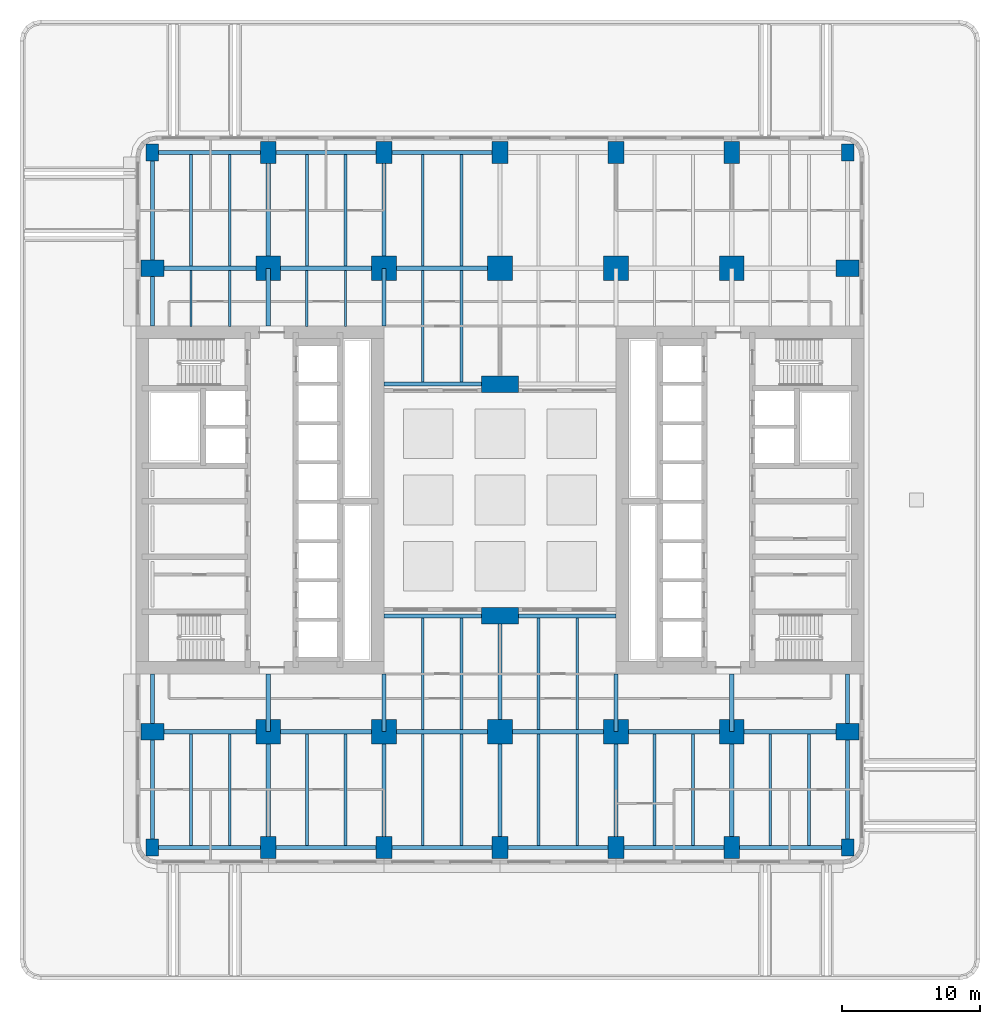
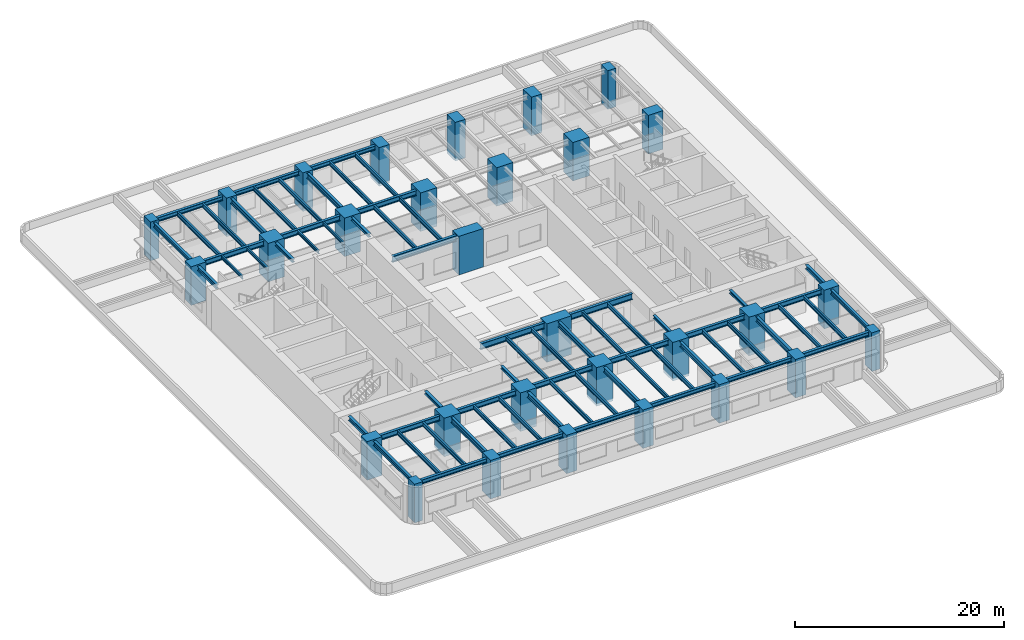
# One storey, part 1 of 17: 69 beams, 30 columns.
"""IFC4 building model written with IfcOpenShell, lengths in metres."""

from ifc_helpers import new_model, si_unit, direction, frame, origin, origin_2d, place, context, subcontext, project, spatial, rectangle, i_section, extrude, material, material_profile, profile_set, type_object, element, save


model = new_model("IFC4")

# Units and contexts
model_context = context("Model", 3, precision=1e-05, world=origin(), true_north=direction((0.0, 1.0)))
body_context = subcontext(model_context, "Body", "Model", "MODEL_VIEW")
ifc_project = project(units=[si_unit("LENGTHUNIT", "METRE"), si_unit("AREAUNIT", "SQUARE_METRE"), si_unit("VOLUMEUNIT", "CUBIC_METRE"), si_unit("PLANEANGLEUNIT", "RADIAN"), si_unit("MASSUNIT", "GRAM", prefix="KILO")], contexts=[model_context])

# Site, building, storey
site_placement = place(None, origin())
site = spatial("IfcSite", under=ifc_project, at=site_placement, CompositionType="ELEMENT")
building_placement = place(site_placement, origin())
building = spatial("IfcBuilding", under=site, at=building_placement, Name="Claustro Exchange Tower", CompositionType="ELEMENT")
storey_placement = place(building_placement, frame((0.0, 0.0, 18.89990234375)))
storey = spatial("IfcBuildingStorey", under=building, at=storey_placement, Name="L04", CompositionType="ELEMENT", Elevation=18.89990234375)

# Columns
ifc_material_1 = material(Name="Concrete HA-70 (C70/85)", Category="concrete")
ifc_material_profile_1 = material_profile(ifc_material_1, rectangle(XDim=1.800048828125, YDim=1.800048828125, at=origin_2d()), Name="RC 1800x1800")
ifc_profile_set_1 = profile_set([ifc_material_profile_1], Name="Concrete HA-70 (C70/85)")
column_type_1 = type_object("IfcColumnType", Name="C14 RC 1800x1800 HA-70 column", PredefinedType="COLUMN", material=ifc_profile_set_1)
for number, where, z_axis, x_axis, name in (
    (1, (8.39990234375, 8.39990234375, 0.0), (0.0, 0.0, 1.0), (1.0, 0.0, 0.0), "Column C14 2/B L04"),
    (2, (8.39990234375, 42.0, 0.0), (0.0, 0.0, 1.0), (1.0, 0.0, 0.0), "Column C14 2/F L04"),
    (3, (16.800048828125, 8.39990234375, 0.0), (0.0, 0.0, 1.0), (1.0, 0.0, 0.0), "Column C14 3/B L04"),
    (4, (16.800048828125, 42.0, 0.0), (0.0, 0.0, 1.0), (1.0, 0.0, 0.0), "Column C14 3/F L04"),
    (5, (25.199951171875, 8.39990234375, 0.0), (0.0, 0.0, 1.0), (1.0, 0.0, 0.0), "Column C14 4/B L04"),
    (6, (25.199951171875, 42.0, 0.0), (0.0, 0.0, 1.0), (1.0, 0.0, 0.0), "Column C14 4/F L04"),
    (7, (33.60009765625, 8.39990234375, 0.0), (0.0, 0.0, 1.0), (1.0, 0.0, 0.0), "Column C14 5/B L04"),
    (8, (33.60009765625, 42.0, 0.0), (0.0, 0.0, 1.0), (1.0, 0.0, 0.0), "Column C14 5/F L04"),
    (9, (42.0, 8.39990234375, 0.0), (0.0, 0.0, 1.0), (1.0, 0.0, 0.0), "Column C14 6/B L04"),
    (10, (42.0, 42.0, 0.0), (0.0, 0.0, 1.0), (1.0, 0.0, 0.0), "Column C14 6/F L04"),
):
    element("IfcColumn", number, at=place(storey_placement, frame(where, z_axis=z_axis, x_axis=x_axis)), inside=storey, type_object=column_type_1, Name=name, PredefinedType="COLUMN", context=body_context, shape_type="SweptSolid", body=[
        extrude(rectangle(XDim=1.800048828125, YDim=1.800048828125, at=origin_2d()), origin(), (0.0, 0.0, 1.0), 4.5),
    ])
ifc_material_2 = material(Name="Concrete HA-70 (C70/85)", Category="concrete")
ifc_material_profile_2 = material_profile(ifc_material_2, rectangle(XDim=1.199951171875, YDim=1.64990234375, at=origin_2d()), Name="RC 1200x1650")
ifc_profile_set_2 = profile_set([ifc_material_profile_2], Name="Concrete HA-70 (C70/85)")
column_type_2 = type_object("IfcColumnType", Name="C19 RC 1200x1650 HA-70 perimeter column", PredefinedType="COLUMN", material=ifc_profile_set_2)
for number, where, z_axis, x_axis, name in (
    (11, (0.0, 8.39990234375, 0.0), (0.0, 0.0, 1.0), (0.0, 1.0, 0.0), "Column C19 1/B L04"),
    (12, (0.0, 42.0, 0.0), (0.0, 0.0, 1.0), (0.0, 1.0, 0.0), "Column C19 1/F L04"),
    (13, (50.39990234375, 8.39990234375, 0.0), (0.0, 0.0, 1.0), (0.0, 1.0, 0.0), "Column C19 7/B L04"),
    (14, (50.39990234375, 42.0, 0.0), (0.0, 0.0, 1.0), (0.0, 1.0, 0.0), "Column C19 7/F L04"),
):
    element("IfcColumn", number, at=place(storey_placement, frame(where, z_axis=z_axis, x_axis=x_axis)), inside=storey, type_object=column_type_2, Name=name, PredefinedType="COLUMN", context=body_context, shape_type="SweptSolid", body=[
        extrude(rectangle(XDim=1.199951171875, YDim=1.64990234375, at=origin_2d()), origin(), (0.0, 0.0, 1.0), 4.5),
    ])
ifc_material_3 = material(Name="Concrete HA-70 (C70/85)", Category="concrete")
ifc_material_profile_3 = material_profile(ifc_material_3, rectangle(XDim=1.14990234375, YDim=1.60009765625, at=origin_2d()), Name="RC 1150x1600")
ifc_profile_set_3 = profile_set([ifc_material_profile_3], Name="Concrete HA-70 (C70/85)")
column_type_3 = type_object("IfcColumnType", Name="C20 RC 1150x1600 HA-70 perimeter column", PredefinedType="COLUMN", material=ifc_profile_set_3)
for number, where, z_axis, x_axis, name in (
    (15, (8.39990234375, 0.0, 0.0), (0.0, 0.0, 1.0), (1.0, 0.0, 0.0), "Column C20 2/A L04"),
    (16, (8.39990234375, 50.39990234375, 0.0), (0.0, 0.0, 1.0), (1.0, 0.0, 0.0), "Column C20 2/G L04"),
    (17, (16.800048828125, 0.0, 0.0), (0.0, 0.0, 1.0), (1.0, 0.0, 0.0), "Column C20 3/A L04"),
    (18, (16.800048828125, 50.39990234375, 0.0), (0.0, 0.0, 1.0), (1.0, 0.0, 0.0), "Column C20 3/G L04"),
    (19, (25.199951171875, 0.0, 0.0), (0.0, 0.0, 1.0), (1.0, 0.0, 0.0), "Column C20 4/A L04"),
    (20, (25.199951171875, 50.39990234375, 0.0), (0.0, 0.0, 1.0), (1.0, 0.0, 0.0), "Column C20 4/G L04"),
    (21, (33.60009765625, 0.0, 0.0), (0.0, 0.0, 1.0), (1.0, 0.0, 0.0), "Column C20 5/A L04"),
    (22, (33.60009765625, 50.39990234375, 0.0), (0.0, 0.0, 1.0), (1.0, 0.0, 0.0), "Column C20 5/G L04"),
    (23, (42.0, 0.0, 0.0), (0.0, 0.0, 1.0), (1.0, 0.0, 0.0), "Column C20 6/A L04"),
    (24, (42.0, 50.39990234375, 0.0), (0.0, 0.0, 1.0), (1.0, 0.0, 0.0), "Column C20 6/G L04"),
):
    element("IfcColumn", number, at=place(storey_placement, frame(where, z_axis=z_axis, x_axis=x_axis)), inside=storey, type_object=column_type_3, Name=name, PredefinedType="COLUMN", context=body_context, shape_type="SweptSolid", body=[
        extrude(rectangle(XDim=1.14990234375, YDim=1.60009765625, at=origin_2d()), origin(), (0.0, 0.0, 1.0), 4.5),
    ])
ifc_material_4 = material(Name="Concrete HA-70 (C70/85)", Category="concrete")
ifc_material_profile_4 = material_profile(ifc_material_4, rectangle(XDim=2.699951171875, YDim=1.199951171875, at=origin_2d()), Name="RC 2700x1200")
ifc_profile_set_4 = profile_set([ifc_material_profile_4], Name="Concrete HA-70 (C70/85)")
column_type_4 = type_object("IfcColumnType", Name="C30 RC 2700x1200 HA-70 light well column", PredefinedType="COLUMN", material=ifc_profile_set_4)
for number, where, z_axis, x_axis, name in (
    (25, (25.199951171875, 16.800048828125, 0.0), (0.0, 0.0, 1.0), (1.0, 0.0, 0.0), "Column C30 4/C L04"),
    (26, (25.199951171875, 33.60009765625, 0.0), (0.0, 0.0, 1.0), (1.0, 0.0, 0.0), "Column C30 4/E L04"),
):
    element("IfcColumn", number, at=place(storey_placement, frame(where, z_axis=z_axis, x_axis=x_axis)), inside=storey, type_object=column_type_4, Name=name, PredefinedType="COLUMN", context=body_context, shape_type="SweptSolid", body=[
        extrude(rectangle(XDim=2.699951171875, YDim=1.199951171875, at=origin_2d()), origin(), (0.0, 0.0, 1.0), 4.5),
    ])
ifc_material_5 = material(Name="Concrete HA-70 (C70/85)", Category="concrete")
ifc_material_profile_5 = material_profile(ifc_material_5, rectangle(XDim=0.89990234375, YDim=1.25, at=origin_2d()), Name="RC 900x1250")
ifc_profile_set_5 = profile_set([ifc_material_profile_5], Name="Concrete HA-70 (C70/85)")
column_type_5 = type_object("IfcColumnType", Name="C35 RC 900x1250 HA-70 corner column", PredefinedType="COLUMN", material=ifc_profile_set_5)
for number, where, z_axis, x_axis, name in (
    (27, (0.0, 0.0, 0.0), (0.0, 0.0, 1.0), (1.0, 0.0, 0.0), "Column C35 1/A L04"),
    (28, (0.0, 50.39990234375, 0.0), (0.0, 0.0, 1.0), (1.0, 0.0, 0.0), "Column C35 1/G L04"),
    (29, (50.39990234375, 0.0, 0.0), (0.0, 0.0, 1.0), (1.0, 0.0, 0.0), "Column C35 7/A L04"),
    (30, (50.39990234375, 50.39990234375, 0.0), (0.0, 0.0, 1.0), (1.0, 0.0, 0.0), "Column C35 7/G L04"),
):
    element("IfcColumn", number, at=place(storey_placement, frame(where, z_axis=z_axis, x_axis=x_axis)), inside=storey, type_object=column_type_5, Name=name, PredefinedType="COLUMN", context=body_context, shape_type="SweptSolid", body=[
        extrude(rectangle(XDim=0.89990234375, YDim=1.25, at=origin_2d()), origin(), (0.0, 0.0, 1.0), 4.5),
    ])

# Beams
ifc_material_6 = material(Name="Steel S355", Category="steel")
ifc_material_profile_6 = material_profile(ifc_material_6, i_section(OverallWidth=0.300048828125, OverallDepth=0.60009765625, WebThickness=0.015380859375, FlangeThickness=0.030029296875, FilletRadius=0.027099609375, at=origin_2d()), Name="HE 600 B")
ifc_profile_set_6 = profile_set([ifc_material_profile_6], Name="Steel S355")
beam_type_1 = type_object("IfcBeamType", Name="B1 HE 600 B floor girder", PredefinedType="BEAM", material=ifc_profile_set_6)
for number, where, z_axis, x_axis, name in (
    (31, (8.39990234375, 0.0, 4.0400390625), (0.0, 1.0, 0.0), (-1.0, 0.0, 0.0), "Beam B1 L05"),
    (32, (8.39990234375, 42.0, 4.0400390625), (0.0, 1.0, 0.0), (-1.0, 0.0, 0.0), "Beam B1 L05"),
    (33, (16.800048828125, 0.0, 4.0400390625), (0.0, 1.0, 0.0), (-1.0, 0.0, 0.0), "Beam B1 L05"),
    (34, (16.800048828125, 42.0, 4.0400390625), (0.0, 1.0, 0.0), (-1.0, 0.0, 0.0), "Beam B1 L05"),
    (35, (25.199951171875, 0.0, 4.0400390625), (0.0, 1.0, 0.0), (-1.0, 0.0, 0.0), "Beam B1 L05"),
):
    element("IfcBeam", number, at=place(storey_placement, frame(where, z_axis=z_axis, x_axis=x_axis)), inside=storey, type_object=beam_type_1, Name=name, PredefinedType="BEAM", context=body_context, shape_type="SweptSolid", body=[
        extrude(i_section(OverallWidth=0.300048828125, OverallDepth=0.60009765625, WebThickness=0.015380859375, FlangeThickness=0.030029296875, FilletRadius=0.027099609375, at=origin_2d()), origin(), (0.0, 0.0, 1.0), 8.39990234375),
    ])
beam_1_placement = place(storey_placement, frame((25.199951171875, 8.39990234375, 4.0400390625), z_axis=(0.0, 1.0, 0.0), x_axis=(-1.0, 0.0, 0.0)))
element("IfcBeam", 36, at=beam_1_placement, inside=storey, type_object=beam_type_1, Name="Beam B1 L05", PredefinedType="BEAM", context=body_context, shape_type="SweptSolid", body=[
    extrude(i_section(OverallWidth=0.300048828125, OverallDepth=0.60009765625, WebThickness=0.015380859375, FlangeThickness=0.030029296875, FilletRadius=0.027099609375, at=origin_2d()), origin(), (0.0, 0.0, 1.0), 8.400146484375),
])
for number, where, z_axis, x_axis, name in (
    (37, (33.60009765625, 0.0, 4.0400390625), (0.0, 1.0, 0.0), (-1.0, 0.0, 0.0), "Beam B1 L05"),
    (38, (42.0, 0.0, 4.0400390625), (0.0, 1.0, 0.0), (-1.0, 0.0, 0.0), "Beam B1 L05"),
    (39, (0.0, 8.39990234375, 4.0400390625), (1.0, 0.0, 0.0), (0.0, 1.0, 0.0), "Beam B1 L05"),
):
    element("IfcBeam", number, at=place(storey_placement, frame(where, z_axis=z_axis, x_axis=x_axis)), inside=storey, type_object=beam_type_1, Name=name, PredefinedType="BEAM", context=body_context, shape_type="SweptSolid", body=[
        extrude(i_section(OverallWidth=0.300048828125, OverallDepth=0.60009765625, WebThickness=0.015380859375, FlangeThickness=0.030029296875, FilletRadius=0.027099609375, at=origin_2d()), origin(), (0.0, 0.0, 1.0), 8.39990234375),
    ])
beam_2_placement = place(storey_placement, frame((8.39990234375, 8.39990234375, 4.0400390625), z_axis=(1.0, 0.0, 0.0), x_axis=(0.0, 1.0, 0.0)))
element("IfcBeam", 40, at=beam_2_placement, inside=storey, type_object=beam_type_1, Name="Beam B1 L05", PredefinedType="BEAM", context=body_context, shape_type="SweptSolid", body=[
    extrude(i_section(OverallWidth=0.300048828125, OverallDepth=0.60009765625, WebThickness=0.015380859375, FlangeThickness=0.030029296875, FilletRadius=0.027099609375, at=origin_2d()), origin(), (0.0, 0.0, 1.0), 8.400146484375),
])
beam_3_placement = place(storey_placement, frame((16.800048828125, 8.39990234375, 4.0400390625), z_axis=(1.0, 0.0, 0.0), x_axis=(0.0, 1.0, 0.0)))
element("IfcBeam", 41, at=beam_3_placement, inside=storey, type_object=beam_type_1, Name="Beam B1 L05", PredefinedType="BEAM", context=body_context, shape_type="SweptSolid", body=[
    extrude(i_section(OverallWidth=0.300048828125, OverallDepth=0.60009765625, WebThickness=0.015380859375, FlangeThickness=0.030029296875, FilletRadius=0.027099609375, at=origin_2d()), origin(), (0.0, 0.0, 1.0), 8.39990234375),
])
beam_4_placement = place(storey_placement, frame((25.199951171875, 8.39990234375, 4.0400390625), z_axis=(1.0, 0.0, 0.0), x_axis=(0.0, 1.0, 0.0)))
element("IfcBeam", 42, at=beam_4_placement, inside=storey, type_object=beam_type_1, Name="Beam B1 L05", PredefinedType="BEAM", context=body_context, shape_type="SweptSolid", body=[
    extrude(i_section(OverallWidth=0.300048828125, OverallDepth=0.60009765625, WebThickness=0.015380859375, FlangeThickness=0.030029296875, FilletRadius=0.027099609375, at=origin_2d()), origin(), (0.0, 0.0, 1.0), 8.400146484375),
])
for number, where, z_axis, x_axis, name in (
    (43, (33.60009765625, 8.39990234375, 4.0400390625), (1.0, 0.0, 0.0), (0.0, 1.0, 0.0), "Beam B1 L05"),
    (44, (42.0, 8.39990234375, 4.0400390625), (1.0, 0.0, 0.0), (0.0, 1.0, 0.0), "Beam B1 L05"),
    (45, (0.0, 42.0, 4.0400390625), (1.0, 0.0, 0.0), (0.0, 1.0, 0.0), "Beam B1 L05"),
):
    element("IfcBeam", number, at=place(storey_placement, frame(where, z_axis=z_axis, x_axis=x_axis)), inside=storey, type_object=beam_type_1, Name=name, PredefinedType="BEAM", context=body_context, shape_type="SweptSolid", body=[
        extrude(i_section(OverallWidth=0.300048828125, OverallDepth=0.60009765625, WebThickness=0.015380859375, FlangeThickness=0.030029296875, FilletRadius=0.027099609375, at=origin_2d()), origin(), (0.0, 0.0, 1.0), 8.39990234375),
    ])
beam_5_placement = place(storey_placement, frame((8.39990234375, 42.0, 4.0400390625), z_axis=(1.0, 0.0, 0.0), x_axis=(0.0, 1.0, 0.0)))
element("IfcBeam", 46, at=beam_5_placement, inside=storey, type_object=beam_type_1, Name="Beam B1 L05", PredefinedType="BEAM", context=body_context, shape_type="SweptSolid", body=[
    extrude(i_section(OverallWidth=0.300048828125, OverallDepth=0.60009765625, WebThickness=0.015380859375, FlangeThickness=0.030029296875, FilletRadius=0.027099609375, at=origin_2d()), origin(), (0.0, 0.0, 1.0), 8.400146484375),
])
beam_6_placement = place(storey_placement, frame((16.800048828125, 42.0, 4.0400390625), z_axis=(1.0, 0.0, 0.0), x_axis=(0.0, 1.0, 0.0)))
element("IfcBeam", 47, at=beam_6_placement, inside=storey, type_object=beam_type_1, Name="Beam B1 L05", PredefinedType="BEAM", context=body_context, shape_type="SweptSolid", body=[
    extrude(i_section(OverallWidth=0.300048828125, OverallDepth=0.60009765625, WebThickness=0.015380859375, FlangeThickness=0.030029296875, FilletRadius=0.027099609375, at=origin_2d()), origin(), (0.0, 0.0, 1.0), 8.39990234375),
])
ifc_material_7 = material(Name="Steel S355", Category="steel")
ifc_material_profile_7 = material_profile(ifc_material_7, i_section(OverallWidth=0.300048828125, OverallDepth=0.68994140625, WebThickness=0.014404296875, FlangeThickness=0.027099609375, FilletRadius=0.027099609375, at=origin_2d()), Name="HE 700 A")
ifc_profile_set_7 = profile_set([ifc_material_profile_7], Name="Steel S355")
beam_type_2 = type_object("IfcBeamType", Name="B13 HE 700 A light well edge girder", PredefinedType="BEAM", material=ifc_profile_set_7)
beam_7_placement = place(storey_placement, frame((16.800048828125, 16.800048828125, 3.9951171875), z_axis=(1.0, 0.0, 0.0), x_axis=(0.0, 1.0, 0.0)))
element("IfcBeam", 48, at=beam_7_placement, inside=storey, type_object=beam_type_2, Name="Beam B13 L05", PredefinedType="BEAM", context=body_context, shape_type="SweptSolid", body=[
    extrude(i_section(OverallWidth=0.300048828125, OverallDepth=0.68994140625, WebThickness=0.014404296875, FlangeThickness=0.027099609375, FilletRadius=0.027099609375, at=origin_2d()), origin(), (0.0, 0.0, 1.0), 8.39990234375),
])
beam_8_placement = place(storey_placement, frame((25.199951171875, 16.800048828125, 3.9951171875), z_axis=(1.0, 0.0, 0.0), x_axis=(0.0, 1.0, 0.0)))
element("IfcBeam", 49, at=beam_8_placement, inside=storey, type_object=beam_type_2, Name="Beam B13 L05", PredefinedType="BEAM", context=body_context, shape_type="SweptSolid", body=[
    extrude(i_section(OverallWidth=0.300048828125, OverallDepth=0.68994140625, WebThickness=0.014404296875, FlangeThickness=0.027099609375, FilletRadius=0.027099609375, at=origin_2d()), origin(), (0.0, 0.0, 1.0), 8.400146484375),
])
beam_9_placement = place(storey_placement, frame((16.800048828125, 33.60009765625, 3.9951171875), z_axis=(1.0, 0.0, 0.0), x_axis=(0.0, 1.0, 0.0)))
element("IfcBeam", 50, at=beam_9_placement, inside=storey, type_object=beam_type_2, Name="Beam B13 L05", PredefinedType="BEAM", context=body_context, shape_type="SweptSolid", body=[
    extrude(i_section(OverallWidth=0.300048828125, OverallDepth=0.68994140625, WebThickness=0.014404296875, FlangeThickness=0.027099609375, FilletRadius=0.027099609375, at=origin_2d()), origin(), (0.0, 0.0, 1.0), 8.39990234375),
])
ifc_material_8 = material(Name="Steel S355", Category="steel")
ifc_material_profile_8 = material_profile(ifc_material_8, i_section(OverallWidth=0.169921875, OverallDepth=0.360107421875, WebThickness=0.008056640625, FlangeThickness=0.0126953125, FilletRadius=0.01806640625, at=origin_2d()), Name="IPE 360")
ifc_profile_set_8 = profile_set([ifc_material_profile_8], Name="Steel S355")
beam_type_3 = type_object("IfcBeamType", Name="B16 IPE 360 short-span beam", PredefinedType="BEAM", material=ifc_profile_set_8)
for number, where, z_axis, x_axis, name in (
    (51, (2.800048828125, 37.7900390625, 4.16015625), (0.0, 1.0, 0.0), (-1.0, 0.0, 0.0), "Beam B16 L05"),
    (52, (5.60009765625, 37.7900390625, 4.16015625), (0.0, 1.0, 0.0), (-1.0, 0.0, 0.0), "Beam B16 L05"),
    (53, (11.199951171875, 37.7900390625, 4.16015625), (0.0, 1.0, 0.0), (-1.0, 0.0, 0.0), "Beam B16 L05"),
    (54, (14.0, 37.7900390625, 4.16015625), (0.0, 1.0, 0.0), (-1.0, 0.0, 0.0), "Beam B16 L05"),
):
    element("IfcBeam", number, at=place(storey_placement, frame(where, z_axis=z_axis, x_axis=x_axis)), inside=storey, type_object=beam_type_3, Name=name, PredefinedType="BEAM", context=body_context, shape_type="SweptSolid", body=[
        extrude(i_section(OverallWidth=0.169921875, OverallDepth=0.360107421875, WebThickness=0.008056640625, FlangeThickness=0.0126953125, FilletRadius=0.01806640625, at=origin_2d()), origin(), (0.0, 0.0, 1.0), 4.06005859375),
    ])
ifc_material_9 = material(Name="Steel S355", Category="steel")
ifc_material_profile_9 = material_profile(ifc_material_9, i_section(OverallWidth=0.199951171875, OverallDepth=0.5, WebThickness=0.01025390625, FlangeThickness=0.01611328125, FilletRadius=0.02099609375, at=origin_2d()), Name="IPE 500")
ifc_profile_set_9 = profile_set([ifc_material_profile_9], Name="Steel S355")
beam_type_4 = type_object("IfcBeamType", Name="B2 IPE 500 secondary beam", PredefinedType="BEAM", material=ifc_profile_set_9)
for number, where, z_axis, x_axis, name in (
    (55, (2.800048828125, 0.14990234375, 4.090087890625), (0.0, 1.0, 0.0), (-1.0, 0.0, 0.0), "Beam B2 L05"),
    (56, (5.60009765625, 0.14990234375, 4.090087890625), (0.0, 1.0, 0.0), (-1.0, 0.0, 0.0), "Beam B2 L05"),
    (57, (2.800048828125, 42.14990234375, 4.090087890625), (0.0, 1.0, 0.0), (-1.0, 0.0, 0.0), "Beam B2 L05"),
    (58, (5.60009765625, 42.14990234375, 4.090087890625), (0.0, 1.0, 0.0), (-1.0, 0.0, 0.0), "Beam B2 L05"),
    (59, (11.199951171875, 0.14990234375, 4.090087890625), (0.0, 1.0, 0.0), (-1.0, 0.0, 0.0), "Beam B2 L05"),
    (60, (14.0, 0.14990234375, 4.090087890625), (0.0, 1.0, 0.0), (-1.0, 0.0, 0.0), "Beam B2 L05"),
    (61, (11.199951171875, 42.14990234375, 4.090087890625), (0.0, 1.0, 0.0), (-1.0, 0.0, 0.0), "Beam B2 L05"),
    (62, (14.0, 42.14990234375, 4.090087890625), (0.0, 1.0, 0.0), (-1.0, 0.0, 0.0), "Beam B2 L05"),
    (63, (19.60009765625, 0.14990234375, 4.090087890625), (0.0, 1.0, 0.0), (-1.0, 0.0, 0.0), "Beam B2 L05"),
    (64, (22.39990234375, 0.14990234375, 4.090087890625), (0.0, 1.0, 0.0), (-1.0, 0.0, 0.0), "Beam B2 L05"),
):
    element("IfcBeam", number, at=place(storey_placement, frame(where, z_axis=z_axis, x_axis=x_axis)), inside=storey, type_object=beam_type_4, Name=name, PredefinedType="BEAM", context=body_context, shape_type="SweptSolid", body=[
        extrude(i_section(OverallWidth=0.199951171875, OverallDepth=0.5, WebThickness=0.01025390625, FlangeThickness=0.01611328125, FilletRadius=0.02099609375, at=origin_2d()), origin(), (0.0, 0.0, 1.0), 8.10009765625),
    ])
for number, where, z_axis, x_axis, name in (
    (65, (19.60009765625, 8.550048828125, 4.090087890625), (0.0, 1.0, 0.0), (-1.0, 0.0, 0.0), "Beam B2 L05"),
    (66, (22.39990234375, 8.550048828125, 4.090087890625), (0.0, 1.0, 0.0), (-1.0, 0.0, 0.0), "Beam B2 L05"),
):
    element("IfcBeam", number, at=place(storey_placement, frame(where, z_axis=z_axis, x_axis=x_axis)), inside=storey, type_object=beam_type_4, Name=name, PredefinedType="BEAM", context=body_context, shape_type="SweptSolid", body=[
        extrude(i_section(OverallWidth=0.199951171875, OverallDepth=0.5, WebThickness=0.01025390625, FlangeThickness=0.01611328125, FilletRadius=0.02099609375, at=origin_2d()), origin(), (0.0, 0.0, 1.0), 8.099853515625),
    ])
for number, where, z_axis, x_axis, name in (
    (67, (19.60009765625, 33.75, 4.090087890625), (0.0, 1.0, 0.0), (-1.0, 0.0, 0.0), "Beam B2 L05"),
    (68, (22.39990234375, 33.75, 4.090087890625), (0.0, 1.0, 0.0), (-1.0, 0.0, 0.0), "Beam B2 L05"),
    (69, (19.60009765625, 42.14990234375, 4.090087890625), (0.0, 1.0, 0.0), (-1.0, 0.0, 0.0), "Beam B2 L05"),
    (70, (22.39990234375, 42.14990234375, 4.090087890625), (0.0, 1.0, 0.0), (-1.0, 0.0, 0.0), "Beam B2 L05"),
    (71, (28.0, 0.14990234375, 4.090087890625), (0.0, 1.0, 0.0), (-1.0, 0.0, 0.0), "Beam B2 L05"),
    (72, (30.800048828125, 0.14990234375, 4.090087890625), (0.0, 1.0, 0.0), (-1.0, 0.0, 0.0), "Beam B2 L05"),
):
    element("IfcBeam", number, at=place(storey_placement, frame(where, z_axis=z_axis, x_axis=x_axis)), inside=storey, type_object=beam_type_4, Name=name, PredefinedType="BEAM", context=body_context, shape_type="SweptSolid", body=[
        extrude(i_section(OverallWidth=0.199951171875, OverallDepth=0.5, WebThickness=0.01025390625, FlangeThickness=0.01611328125, FilletRadius=0.02099609375, at=origin_2d()), origin(), (0.0, 0.0, 1.0), 8.10009765625),
    ])
for number, where, z_axis, x_axis, name in (
    (73, (28.0, 8.550048828125, 4.090087890625), (0.0, 1.0, 0.0), (-1.0, 0.0, 0.0), "Beam B2 L05"),
    (74, (30.800048828125, 8.550048828125, 4.090087890625), (0.0, 1.0, 0.0), (-1.0, 0.0, 0.0), "Beam B2 L05"),
):
    element("IfcBeam", number, at=place(storey_placement, frame(where, z_axis=z_axis, x_axis=x_axis)), inside=storey, type_object=beam_type_4, Name=name, PredefinedType="BEAM", context=body_context, shape_type="SweptSolid", body=[
        extrude(i_section(OverallWidth=0.199951171875, OverallDepth=0.5, WebThickness=0.01025390625, FlangeThickness=0.01611328125, FilletRadius=0.02099609375, at=origin_2d()), origin(), (0.0, 0.0, 1.0), 8.099853515625),
    ])
for number, where, z_axis, x_axis, name in (
    (75, (36.39990234375, 0.14990234375, 4.090087890625), (0.0, 1.0, 0.0), (-1.0, 0.0, 0.0), "Beam B2 L05"),
    (76, (39.199951171875, 0.14990234375, 4.090087890625), (0.0, 1.0, 0.0), (-1.0, 0.0, 0.0), "Beam B2 L05"),
    (77, (44.800048828125, 0.14990234375, 4.090087890625), (0.0, 1.0, 0.0), (-1.0, 0.0, 0.0), "Beam B2 L05"),
    (78, (47.60009765625, 0.14990234375, 4.090087890625), (0.0, 1.0, 0.0), (-1.0, 0.0, 0.0), "Beam B2 L05"),
):
    element("IfcBeam", number, at=place(storey_placement, frame(where, z_axis=z_axis, x_axis=x_axis)), inside=storey, type_object=beam_type_4, Name=name, PredefinedType="BEAM", context=body_context, shape_type="SweptSolid", body=[
        extrude(i_section(OverallWidth=0.199951171875, OverallDepth=0.5, WebThickness=0.01025390625, FlangeThickness=0.01611328125, FilletRadius=0.02099609375, at=origin_2d()), origin(), (0.0, 0.0, 1.0), 8.10009765625),
    ])
ifc_material_10 = material(Name="Steel S355", Category="steel")
ifc_material_profile_10 = material_profile(ifc_material_10, i_section(OverallWidth=0.300048828125, OverallDepth=0.360107421875, WebThickness=0.012451171875, FlangeThickness=0.0224609375, FilletRadius=0.027099609375, at=origin_2d()), Name="HE 360 B")
ifc_profile_set_10 = profile_set([ifc_material_profile_10], Name="Steel S355")
beam_type_5 = type_object("IfcBeamType", Name="B29 HE 360 B column to core link beam", PredefinedType="BEAM", material=ifc_profile_set_10)
beam_10_placement = place(storey_placement, frame((8.39990234375, 8.39990234375, 4.16015625), z_axis=(0.0, 1.0, 0.0), x_axis=(-1.0, 0.0, 0.0)))
element("IfcBeam", 79, at=beam_10_placement, inside=storey, type_object=beam_type_5, Name="Beam B29 L05", PredefinedType="BEAM", context=body_context, shape_type="SweptSolid", body=[
    extrude(i_section(OverallWidth=0.300048828125, OverallDepth=0.360107421875, WebThickness=0.012451171875, FlangeThickness=0.0224609375, FilletRadius=0.027099609375, at=origin_2d()), origin(), (0.0, 0.0, 1.0), 4.2001953125),
])
beam_11_placement = place(storey_placement, frame((8.39990234375, 37.800048828125, 4.16015625), z_axis=(0.0, 1.0, 0.0), x_axis=(-1.0, 0.0, 0.0)))
element("IfcBeam", 80, at=beam_11_placement, inside=storey, type_object=beam_type_5, Name="Beam B29 L05", PredefinedType="BEAM", context=body_context, shape_type="SweptSolid", body=[
    extrude(i_section(OverallWidth=0.300048828125, OverallDepth=0.360107421875, WebThickness=0.012451171875, FlangeThickness=0.0224609375, FilletRadius=0.027099609375, at=origin_2d()), origin(), (0.0, 0.0, 1.0), 4.199951171875),
])
beam_12_placement = place(storey_placement, frame((16.800048828125, 8.39990234375, 4.16015625), z_axis=(0.0, 1.0, 0.0), x_axis=(-1.0, 0.0, 0.0)))
element("IfcBeam", 81, at=beam_12_placement, inside=storey, type_object=beam_type_5, Name="Beam B29 L05", PredefinedType="BEAM", context=body_context, shape_type="SweptSolid", body=[
    extrude(i_section(OverallWidth=0.300048828125, OverallDepth=0.360107421875, WebThickness=0.012451171875, FlangeThickness=0.0224609375, FilletRadius=0.027099609375, at=origin_2d()), origin(), (0.0, 0.0, 1.0), 4.2001953125),
])
beam_13_placement = place(storey_placement, frame((16.800048828125, 37.800048828125, 4.16015625), z_axis=(0.0, 1.0, 0.0), x_axis=(-1.0, 0.0, 0.0)))
element("IfcBeam", 82, at=beam_13_placement, inside=storey, type_object=beam_type_5, Name="Beam B29 L05", PredefinedType="BEAM", context=body_context, shape_type="SweptSolid", body=[
    extrude(i_section(OverallWidth=0.300048828125, OverallDepth=0.360107421875, WebThickness=0.012451171875, FlangeThickness=0.0224609375, FilletRadius=0.027099609375, at=origin_2d()), origin(), (0.0, 0.0, 1.0), 4.199951171875),
])
for number, where, z_axis, x_axis, name in (
    (83, (33.60009765625, 8.39990234375, 4.16015625), (0.0, 1.0, 0.0), (-1.0, 0.0, 0.0), "Beam B29 L05"),
    (84, (42.0, 8.39990234375, 4.16015625), (0.0, 1.0, 0.0), (-1.0, 0.0, 0.0), "Beam B29 L05"),
):
    element("IfcBeam", number, at=place(storey_placement, frame(where, z_axis=z_axis, x_axis=x_axis)), inside=storey, type_object=beam_type_5, Name=name, PredefinedType="BEAM", context=body_context, shape_type="SweptSolid", body=[
        extrude(i_section(OverallWidth=0.300048828125, OverallDepth=0.360107421875, WebThickness=0.012451171875, FlangeThickness=0.0224609375, FilletRadius=0.027099609375, at=origin_2d()), origin(), (0.0, 0.0, 1.0), 4.2001953125),
    ])
ifc_material_11 = material(Name="Steel S355", Category="steel")
ifc_material_profile_11 = material_profile(ifc_material_11, i_section(OverallWidth=0.300048828125, OverallDepth=0.5, WebThickness=0.014404296875, FlangeThickness=0.028076171875, FilletRadius=0.027099609375, at=origin_2d()), Name="HE 500 B")
ifc_profile_set_11 = profile_set([ifc_material_profile_11], Name="Steel S355")
beam_type_6 = type_object("IfcBeamType", Name="B3 HE 500 B spandrel edge girder", PredefinedType="SPANDREL", material=ifc_profile_set_11)
beam_14_placement = place(storey_placement, frame((0.0, 0.0, 4.090087890625), z_axis=(0.0, 1.0, 0.0), x_axis=(-1.0, 0.0, 0.0)))
element("IfcBeam", 85, at=beam_14_placement, inside=storey, type_object=beam_type_6, Name="Beam B3 L05", PredefinedType="SPANDREL", context=body_context, shape_type="SweptSolid", body=[
    extrude(i_section(OverallWidth=0.300048828125, OverallDepth=0.5, WebThickness=0.014404296875, FlangeThickness=0.028076171875, FilletRadius=0.027099609375, at=origin_2d()), origin(), (0.0, 0.0, 1.0), 8.39990234375),
])
beam_15_placement = place(storey_placement, frame((0.0, 8.39990234375, 4.090087890625), z_axis=(0.0, 1.0, 0.0), x_axis=(-1.0, 0.0, 0.0)))
element("IfcBeam", 86, at=beam_15_placement, inside=storey, type_object=beam_type_6, Name="Beam B3 L05", PredefinedType="SPANDREL", context=body_context, shape_type="SweptSolid", body=[
    extrude(i_section(OverallWidth=0.300048828125, OverallDepth=0.5, WebThickness=0.014404296875, FlangeThickness=0.028076171875, FilletRadius=0.027099609375, at=origin_2d()), origin(), (0.0, 0.0, 1.0), 4.2001953125),
])
beam_16_placement = place(storey_placement, frame((0.0, 37.800048828125, 4.090087890625), z_axis=(0.0, 1.0, 0.0), x_axis=(-1.0, 0.0, 0.0)))
element("IfcBeam", 87, at=beam_16_placement, inside=storey, type_object=beam_type_6, Name="Beam B3 L05", PredefinedType="SPANDREL", context=body_context, shape_type="SweptSolid", body=[
    extrude(i_section(OverallWidth=0.300048828125, OverallDepth=0.5, WebThickness=0.014404296875, FlangeThickness=0.028076171875, FilletRadius=0.027099609375, at=origin_2d()), origin(), (0.0, 0.0, 1.0), 4.199951171875),
])
for number, where, z_axis, x_axis, name in (
    (88, (0.0, 42.0, 4.090087890625), (0.0, 1.0, 0.0), (-1.0, 0.0, 0.0), "Beam B3 L05"),
    (89, (50.39990234375, 0.0, 4.090087890625), (0.0, 1.0, 0.0), (-1.0, 0.0, 0.0), "Beam B3 L05"),
):
    element("IfcBeam", number, at=place(storey_placement, frame(where, z_axis=z_axis, x_axis=x_axis)), inside=storey, type_object=beam_type_6, Name=name, PredefinedType="SPANDREL", context=body_context, shape_type="SweptSolid", body=[
        extrude(i_section(OverallWidth=0.300048828125, OverallDepth=0.5, WebThickness=0.014404296875, FlangeThickness=0.028076171875, FilletRadius=0.027099609375, at=origin_2d()), origin(), (0.0, 0.0, 1.0), 8.39990234375),
    ])
beam_17_placement = place(storey_placement, frame((50.39990234375, 8.39990234375, 4.090087890625), z_axis=(0.0, 1.0, 0.0), x_axis=(-1.0, 0.0, 0.0)))
element("IfcBeam", 90, at=beam_17_placement, inside=storey, type_object=beam_type_6, Name="Beam B3 L05", PredefinedType="SPANDREL", context=body_context, shape_type="SweptSolid", body=[
    extrude(i_section(OverallWidth=0.300048828125, OverallDepth=0.5, WebThickness=0.014404296875, FlangeThickness=0.028076171875, FilletRadius=0.027099609375, at=origin_2d()), origin(), (0.0, 0.0, 1.0), 4.2001953125),
])
beam_18_placement = place(storey_placement, frame((0.0, 0.0, 4.090087890625), z_axis=(1.0, 0.0, 0.0), x_axis=(0.0, 1.0, 0.0)))
element("IfcBeam", 91, at=beam_18_placement, inside=storey, type_object=beam_type_6, Name="Beam B3 L05", PredefinedType="SPANDREL", context=body_context, shape_type="SweptSolid", body=[
    extrude(i_section(OverallWidth=0.300048828125, OverallDepth=0.5, WebThickness=0.014404296875, FlangeThickness=0.028076171875, FilletRadius=0.027099609375, at=origin_2d()), origin(), (0.0, 0.0, 1.0), 8.39990234375),
])
beam_19_placement = place(storey_placement, frame((8.39990234375, 0.0, 4.090087890625), z_axis=(1.0, 0.0, 0.0), x_axis=(0.0, 1.0, 0.0)))
element("IfcBeam", 92, at=beam_19_placement, inside=storey, type_object=beam_type_6, Name="Beam B3 L05", PredefinedType="SPANDREL", context=body_context, shape_type="SweptSolid", body=[
    extrude(i_section(OverallWidth=0.300048828125, OverallDepth=0.5, WebThickness=0.014404296875, FlangeThickness=0.028076171875, FilletRadius=0.027099609375, at=origin_2d()), origin(), (0.0, 0.0, 1.0), 8.400146484375),
])
beam_20_placement = place(storey_placement, frame((16.800048828125, 0.0, 4.090087890625), z_axis=(1.0, 0.0, 0.0), x_axis=(0.0, 1.0, 0.0)))
element("IfcBeam", 93, at=beam_20_placement, inside=storey, type_object=beam_type_6, Name="Beam B3 L05", PredefinedType="SPANDREL", context=body_context, shape_type="SweptSolid", body=[
    extrude(i_section(OverallWidth=0.300048828125, OverallDepth=0.5, WebThickness=0.014404296875, FlangeThickness=0.028076171875, FilletRadius=0.027099609375, at=origin_2d()), origin(), (0.0, 0.0, 1.0), 8.39990234375),
])
beam_21_placement = place(storey_placement, frame((25.199951171875, 0.0, 4.090087890625), z_axis=(1.0, 0.0, 0.0), x_axis=(0.0, 1.0, 0.0)))
element("IfcBeam", 94, at=beam_21_placement, inside=storey, type_object=beam_type_6, Name="Beam B3 L05", PredefinedType="SPANDREL", context=body_context, shape_type="SweptSolid", body=[
    extrude(i_section(OverallWidth=0.300048828125, OverallDepth=0.5, WebThickness=0.014404296875, FlangeThickness=0.028076171875, FilletRadius=0.027099609375, at=origin_2d()), origin(), (0.0, 0.0, 1.0), 8.400146484375),
])
for number, where, z_axis, x_axis, name in (
    (95, (33.60009765625, 0.0, 4.090087890625), (1.0, 0.0, 0.0), (0.0, 1.0, 0.0), "Beam B3 L05"),
    (96, (42.0, 0.0, 4.090087890625), (1.0, 0.0, 0.0), (0.0, 1.0, 0.0), "Beam B3 L05"),
    (97, (0.0, 50.39990234375, 4.090087890625), (1.0, 0.0, 0.0), (0.0, 1.0, 0.0), "Beam B3 L05"),
):
    element("IfcBeam", number, at=place(storey_placement, frame(where, z_axis=z_axis, x_axis=x_axis)), inside=storey, type_object=beam_type_6, Name=name, PredefinedType="SPANDREL", context=body_context, shape_type="SweptSolid", body=[
        extrude(i_section(OverallWidth=0.300048828125, OverallDepth=0.5, WebThickness=0.014404296875, FlangeThickness=0.028076171875, FilletRadius=0.027099609375, at=origin_2d()), origin(), (0.0, 0.0, 1.0), 8.39990234375),
    ])
beam_22_placement = place(storey_placement, frame((8.39990234375, 50.39990234375, 4.090087890625), z_axis=(1.0, 0.0, 0.0), x_axis=(0.0, 1.0, 0.0)))
element("IfcBeam", 98, at=beam_22_placement, inside=storey, type_object=beam_type_6, Name="Beam B3 L05", PredefinedType="SPANDREL", context=body_context, shape_type="SweptSolid", body=[
    extrude(i_section(OverallWidth=0.300048828125, OverallDepth=0.5, WebThickness=0.014404296875, FlangeThickness=0.028076171875, FilletRadius=0.027099609375, at=origin_2d()), origin(), (0.0, 0.0, 1.0), 8.400146484375),
])
beam_23_placement = place(storey_placement, frame((16.800048828125, 50.39990234375, 4.090087890625), z_axis=(1.0, 0.0, 0.0), x_axis=(0.0, 1.0, 0.0)))
element("IfcBeam", 99, at=beam_23_placement, inside=storey, type_object=beam_type_6, Name="Beam B3 L05", PredefinedType="SPANDREL", context=body_context, shape_type="SweptSolid", body=[
    extrude(i_section(OverallWidth=0.300048828125, OverallDepth=0.5, WebThickness=0.014404296875, FlangeThickness=0.028076171875, FilletRadius=0.027099609375, at=origin_2d()), origin(), (0.0, 0.0, 1.0), 8.39990234375),
])

save(model, "model.ifc")
